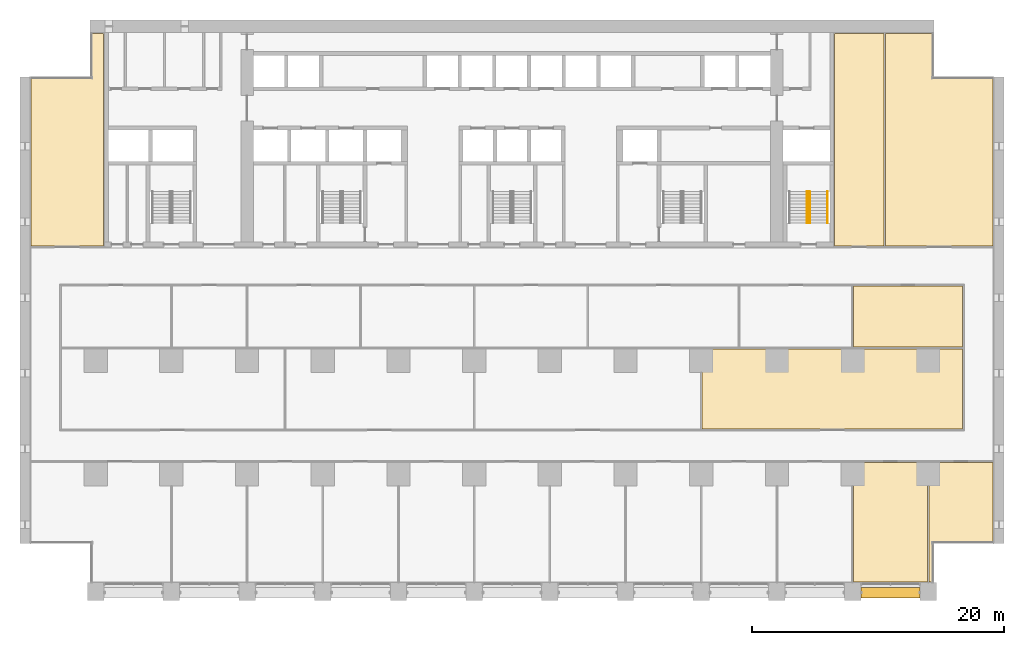
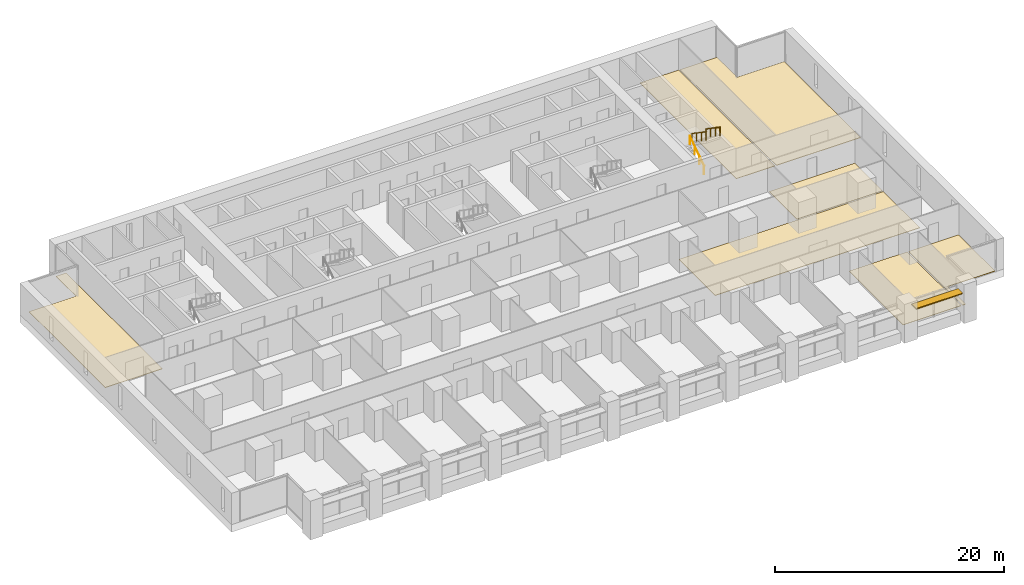
# One storey, part 18 of 18: 7 coverings, 3 railings, 1 shading device, 1 element without a shape of its own.
"""IFC4 building model written with IfcOpenShell, lengths in metres."""

from ifc_helpers import new_model, si_unit, direction, frame, origin, origin_2d, place, context, subcontext, project, spatial, polyline, rectangle, circle, outline, extrude, material, layer, layer_set, material_profile, profile_set, type_object, element, aggregate, save


model = new_model("IFC4")

# Units and contexts
model_context = context("Model", 3, precision=1e-05, world=origin(), true_north=direction((0.0, 1.0)))
body_context = subcontext(model_context, "Body", "Model", "MODEL_VIEW")
ifc_project = project(units=[si_unit("LENGTHUNIT", "METRE"), si_unit("AREAUNIT", "SQUARE_METRE"), si_unit("VOLUMEUNIT", "CUBIC_METRE"), si_unit("PLANEANGLEUNIT", "RADIAN"), si_unit("MASSUNIT", "GRAM", prefix="KILO")], contexts=[model_context])

# Site, building, storey
site_placement = place(None, origin())
site = spatial("IfcSite", under=ifc_project, at=site_placement, CompositionType="ELEMENT")
building_placement = place(site_placement, origin())
building = spatial("IfcBuilding", under=site, at=building_placement, Name="Calvaro Tower", CompositionType="ELEMENT")
storey_placement = place(building_placement, frame((0.0, 0.0, 22.5)))
storey = spatial("IfcBuildingStorey", under=building, at=storey_placement, Name="L04", CompositionType="ELEMENT", Elevation=22.5)

# Shading device
ifc_material_1 = material(Name="Anodised aluminium", Category="aluminium")
ifc_material_profile = material_profile(ifc_material_1, rectangle(XDim=0.800048828125, YDim=0.10009765625, at=origin_2d()), Name="Brise-soleil blade 800 x 100")
ifc_profile_set = profile_set([ifc_material_profile], Name="Anodised aluminium")
shading_device_type = type_object("IfcShadingDeviceType", Name="Brise-soleil blade 800 x 100", PredefinedType="JALOUSIE", material=ifc_profile_set)
shading_device_placement = place(storey_placement, frame((66.64990234375, 0.60009765625, 2.300048828125), z_axis=(1.0, 0.0, 0.0), x_axis=(0.0, 1.0, 0.0)))
element("IfcShadingDevice", 1, at=shading_device_placement, inside=storey, type_object=shading_device_type, Name="Brise-soleil blade 11", PredefinedType="JALOUSIE", context=body_context, shape_type="SweptSolid", body=[
    extrude(rectangle(XDim=0.800048828125, YDim=0.10009765625, at=origin_2d()), origin(), (0.0, 0.0, 1.0), 4.7001953125),
])

# Coverings
ifc_material_2 = material(Name="Cement screed with carpet tile finish")
ifc_layer = layer(ifc_material_2, 0.050048828125)
ifc_layer_set = layer_set([ifc_layer], Name="Cement screed with carpet tile finish")
covering_type = type_object("IfcCoveringType", Name="Floor finish 50", PredefinedType="FLOORING", material=ifc_layer_set)
covering_1_placement = place(storey_placement, origin())
element("IfcCovering", 2, at=covering_1_placement, inside=storey, type_object=covering_type, Name="Floor finish 07.11", PredefinedType="FLOORING", context=body_context, shape_type="SweptSolid", body=[
    extrude(outline(polyline([(66.070068359375, 10.929931640625), (71.929931640625, 10.929931640625), (71.929931640625, 1.469970703125), (66.070068359375, 1.469970703125), (66.070068359375, 10.929931640625)])), origin(), (0.0, 0.0, 1.0), 0.050048828125),
])
covering_2_placement = place(storey_placement, origin())
element("IfcCovering", 3, at=covering_2_placement, inside=storey, type_object=covering_type, Name="Floor finish 07.13", PredefinedType="FLOORING", context=body_context, shape_type="SweptSolid", body=[
    extrude(outline(polyline([(77.1298828125, 4.570068359375), (72.3798828125, 4.570068359375), (72.3798828125, 1.469970703125), (72.070068359375, 1.469970703125), (72.070068359375, 10.929931640625), (77.1298828125, 10.929931640625), (77.1298828125, 4.570068359375)])), origin(), (0.0, 0.0, 1.0), 0.050048828125),
])
covering_3_placement = place(storey_placement, origin())
element("IfcCovering", 4, at=covering_3_placement, inside=storey, type_object=covering_type, Name="Floor finish 07.17", PredefinedType="FLOORING", context=body_context, shape_type="SweptSolid", body=[
    extrude(outline(polyline([(54.070068359375, 13.570068359375), (54.070068359375, 19.929931640625), (74.72998046875, 19.929931640625), (74.72998046875, 13.570068359375), (54.070068359375, 13.570068359375)])), origin(), (0.0, 0.0, 1.0), 0.050048828125),
])
covering_4_placement = place(storey_placement, origin())
element("IfcCovering", 5, at=covering_4_placement, inside=storey, type_object=covering_type, Name="Floor finish 07.25", PredefinedType="FLOORING", context=body_context, shape_type="SweptSolid", body=[
    extrude(outline(polyline([(66.070068359375, 20.070068359375), (66.070068359375, 24.929931640625), (74.72998046875, 24.929931640625), (74.72998046875, 20.070068359375), (66.070068359375, 20.070068359375)])), origin(), (0.0, 0.0, 1.0), 0.050048828125),
])
covering_5_placement = place(storey_placement, origin())
element("IfcCovering", 6, at=covering_5_placement, inside=storey, type_object=covering_type, Name="Floor finish 07.26", PredefinedType="FLOORING", context=body_context, shape_type="SweptSolid", body=[
    extrude(outline(polyline([(6.6298828125, 28.070068359375), (0.8701171875, 28.070068359375), (0.8701171875, 41.429931640625), (5.6201171875, 41.429931640625), (5.6201171875, 44.929931640625), (6.6298828125, 44.929931640625), (6.6298828125, 28.070068359375)])), origin(), (0.0, 0.0, 1.0), 0.050048828125),
])
covering_6_placement = place(storey_placement, origin())
element("IfcCovering", 7, at=covering_6_placement, inside=storey, type_object=covering_type, Name="Floor finish 07.28", PredefinedType="FLOORING", context=body_context, shape_type="SweptSolid", body=[
    extrude(outline(polyline([(68.47998046875, 28.070068359375), (64.570068359375, 28.070068359375), (64.570068359375, 44.929931640625), (68.47998046875, 44.929931640625), (68.47998046875, 28.070068359375)])), origin(), (0.0, 0.0, 1.0), 0.050048828125),
])
covering_7_placement = place(storey_placement, origin())
element("IfcCovering", 8, at=covering_7_placement, inside=storey, type_object=covering_type, Name="Floor finish 07.27", PredefinedType="FLOORING", context=body_context, shape_type="SweptSolid", body=[
    extrude(outline(polyline([(77.1298828125, 28.070068359375), (68.6201171875, 28.070068359375), (68.6201171875, 44.929931640625), (72.3798828125, 44.929931640625), (72.3798828125, 41.429931640625), (77.1298828125, 41.429931640625), (77.1298828125, 28.070068359375)])), origin(), (0.0, 0.0, 1.0), 0.050048828125),
])

# Stair, railings
ifc_material_3 = material(Name="Concrete C40/50", Category="concrete")
stair_type = type_object("IfcStairType", Name="Exit stair 1400 2 flights", PredefinedType="HALF_TURN_STAIR", material=ifc_material_3)
stair_placement = place(storey_placement, origin())
stair = element("IfcStair", 9, at=stair_placement, inside=storey, type_object=stair_type, Name="Exit stair S5", PredefinedType="HALF_TURN_STAIR")
ifc_material_4 = material(Name="Stainless steel", Category="steel")
railing_type = type_object("IfcRailingType", Name="Stair handrail", PredefinedType="HANDRAIL", material=ifc_material_4)
railing_1_placement = place(storey_placement, frame((62.39990234375, 29.89990234375, 0.17041015625)))
railing_1 = element("IfcRailing", 10, at=railing_1_placement, type_object=railing_type, Name="Exit stair 5 handrail", PredefinedType="HANDRAIL", context=body_context, shape_type="SweptSolid", body=[
    extrude(circle(Radius=0.02392578125, at=origin_2d()), frame((0.0, 0.0, 0.8759765625), z_axis=(0.0, 0.826220514629, 0.563346839174), x_axis=(-1.0, 0.0, 0.0)), (0.0, 0.0, 1.0), 3.02587890625),
    extrude(circle(Radius=0.02099609375, at=origin_2d()), frame((0.0, 0.017333984375, 0.01171875)), (0.0, 0.0, 1.0), 0.851806640625),
    extrude(circle(Radius=0.02099609375, at=origin_2d()), frame((0.0, 0.833251953125, 0.568115234375)), (0.0, 0.0, 1.0), 0.851806640625),
    extrude(circle(Radius=0.02099609375, at=origin_2d()), frame((0.0, 1.666748046875, 1.136474609375)), (0.0, 0.0, 1.0), 0.851806640625),
    extrude(circle(Radius=0.02099609375, at=origin_2d()), frame((0.0, 2.482666015625, 1.69287109375)), (0.0, 0.0, 1.0), 0.851806640625),
])
railing_2_placement = place(storey_placement, frame((62.60009765625, 32.39990234375, 2.04541015625)))
railing_2 = element("IfcRailing", 11, at=railing_2_placement, type_object=railing_type, Name="Exit stair 5 handrail", PredefinedType="HANDRAIL", context=body_context, shape_type="SweptSolid", body=[
    extrude(circle(Radius=0.02392578125, at=origin_2d()), frame((0.0, 0.0, 0.8759765625), z_axis=(0.0, -0.826220514629, 0.563346839174), x_axis=(1.0, 0.0, 0.0)), (0.0, 0.0, 1.0), 3.02587890625),
    extrude(circle(Radius=0.02099609375, at=origin_2d()), frame((0.0, -0.017333984375, 0.01171875)), (0.0, 0.0, 1.0), 0.851806640625),
    extrude(circle(Radius=0.02099609375, at=origin_2d()), frame((0.0, -0.833251953125, 0.568115234375)), (0.0, 0.0, 1.0), 0.851806640625),
    extrude(circle(Radius=0.02099609375, at=origin_2d()), frame((0.0, -1.666748046875, 1.136474609375)), (0.0, 0.0, 1.0), 0.851806640625),
    extrude(circle(Radius=0.02099609375, at=origin_2d()), frame((0.0, -2.482666015625, 1.69287109375)), (0.0, 0.0, 1.0), 0.851806640625),
])
railing_3_placement = place(storey_placement, frame((64.0, 32.39990234375, 2.04541015625)))
railing_3 = element("IfcRailing", 12, at=railing_3_placement, type_object=railing_type, Name="Exit stair 5 handrail", PredefinedType="HANDRAIL", context=body_context, shape_type="SweptSolid", body=[
    extrude(circle(Radius=0.02392578125, at=origin_2d()), frame((0.0, 0.0, 0.8759765625), z_axis=(0.0, -0.826220514629, 0.563346839174), x_axis=(1.0, 0.0, 0.0)), (0.0, 0.0, 1.0), 3.02587890625),
    extrude(circle(Radius=0.02099609375, at=origin_2d()), frame((0.0, -0.017333984375, 0.01171875)), (0.0, 0.0, 1.0), 0.851806640625),
    extrude(circle(Radius=0.02099609375, at=origin_2d()), frame((0.0, -0.833251953125, 0.568115234375)), (0.0, 0.0, 1.0), 0.851806640625),
    extrude(circle(Radius=0.02099609375, at=origin_2d()), frame((0.0, -1.666748046875, 1.136474609375)), (0.0, 0.0, 1.0), 0.851806640625),
    extrude(circle(Radius=0.02099609375, at=origin_2d()), frame((0.0, -2.482666015625, 1.69287109375)), (0.0, 0.0, 1.0), 0.851806640625),
])
aggregate(stair, [railing_1, railing_2, railing_3])

save(model, "model.ifc")
